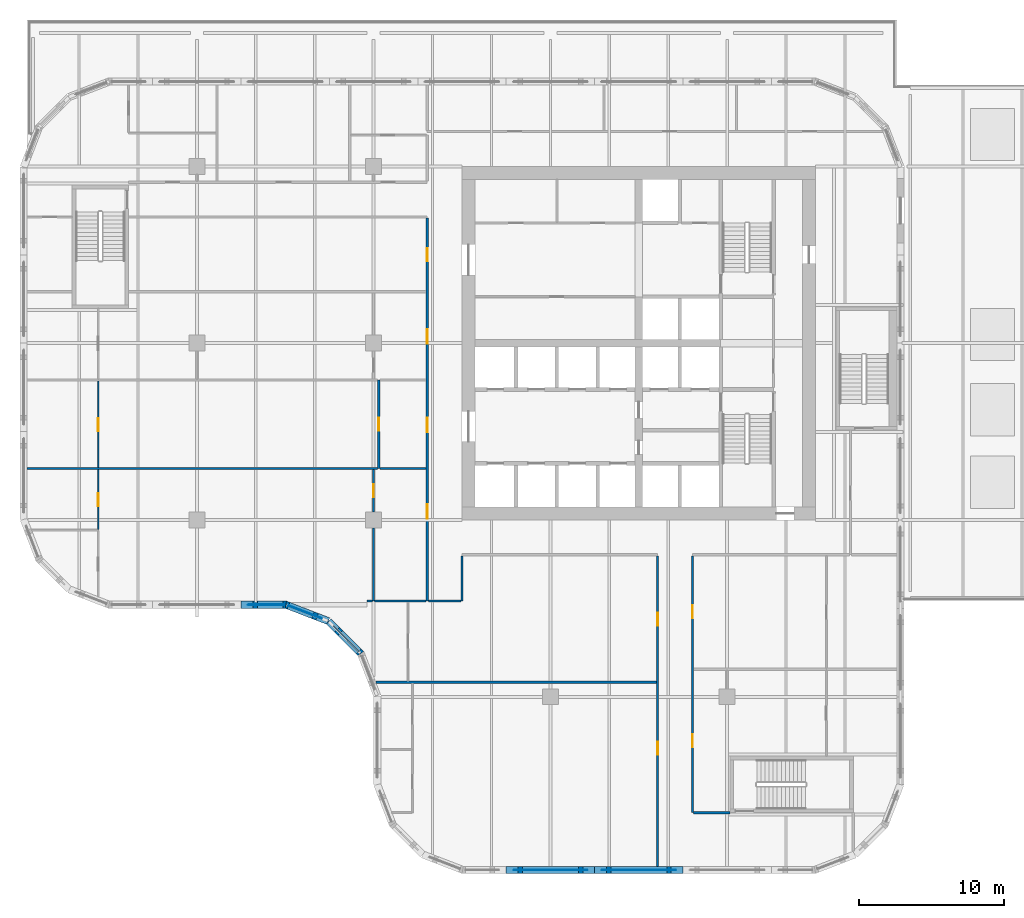
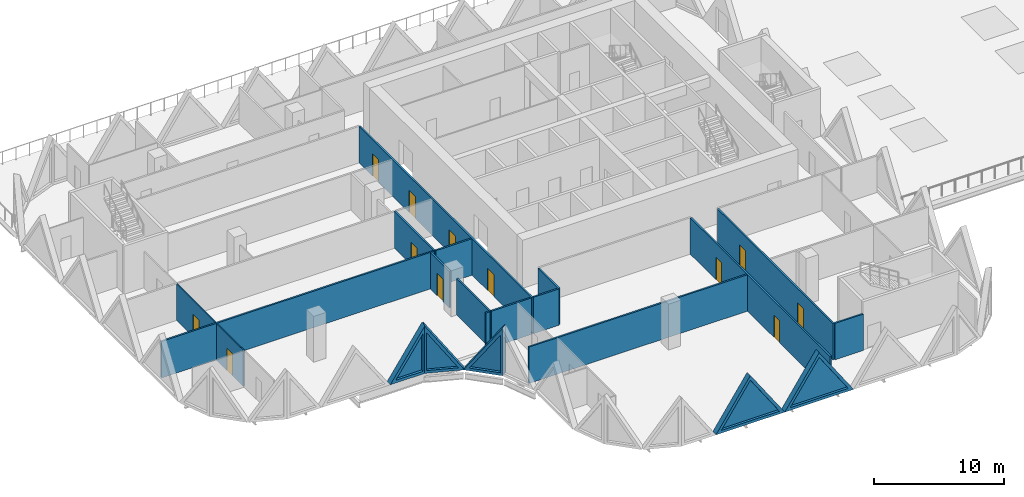
# One storey, part 7 of 21: 21 walls, 12 doors, 5 plates, 17 openings.
"""IFC4 building model written with IfcOpenShell, lengths in metres."""

from ifc_helpers import new_model, si_unit, direction, frame, frame_2d, origin, place, context, subcontext, project, spatial, polyline, rectangle, outline, extrude, faceted_brep, source, transform, mapped, material, layer, layer_set, type_object, element, fill, save


model = new_model("IFC4")

# Units and contexts
model_context = context("Model", 3, precision=1e-05, world=origin(), true_north=direction((0.0, 1.0)))
body_context = subcontext(model_context, "Body", "Model", "MODEL_VIEW")
ifc_project = project(units=[si_unit("LENGTHUNIT", "METRE"), si_unit("AREAUNIT", "SQUARE_METRE"), si_unit("VOLUMEUNIT", "CUBIC_METRE"), si_unit("PLANEANGLEUNIT", "RADIAN"), si_unit("MASSUNIT", "GRAM", prefix="KILO")], contexts=[model_context])

# Site, building, storey
site_placement = place(None, origin())
site = spatial("IfcSite", under=ifc_project, at=site_placement, CompositionType="ELEMENT")
building_placement = place(site_placement, origin())
building = spatial("IfcBuilding", under=site, at=building_placement, Name="Tessera Gate Towers", CompositionType="ELEMENT")
storey_placement = place(building_placement, frame((0.0, 0.0, 16.800048828125)))
storey = spatial("IfcBuildingStorey", under=building, at=storey_placement, Name="L03", CompositionType="ELEMENT", Elevation=16.800048828125)

# Wall, openings, doors
ifc_material_1 = material(Name="Gypsum board on steel studs, mineral wool", Category="steel")
ifc_layer_1 = layer(ifc_material_1, 0.14990234375)
ifc_layer_set_1 = layer_set([ifc_layer_1], Name="CORRIDOR WALL 150")
wall_type_1 = type_object("IfcWallType", Name="CORRIDOR WALL 150", PredefinedType="PARTITIONING", material=ifc_layer_set_1)
wall_1_placement = place(storey_placement, frame((44.0, 0.5, 0.0), z_axis=(0.0, 0.0, 1.0), x_axis=(0.0, 1.0, 0.0)))
wall_1 = element("IfcWall", 1, at=wall_1_placement, inside=storey, type_object=wall_type_1, Name="T1-L03-PW-001", PredefinedType="PARTITIONING", context=body_context, shape_type="SweptSolid", body=[
    extrude(rectangle(XDim=21.424072265625, YDim=0.14990234375, at=frame_2d((10.7119140625, 0.0))), origin(), (0.0, 0.0, 1.0), 3.4150390625),
])
shared_shape_1 = source(origin(), body_context, "Body", "SweptSolid", [
    extrude(rectangle(XDim=0.89990234375, YDim=2.10009765625, at=frame_2d((0.449951171875, 1.050048828125))), frame((0.0, 0.0849609375, 0.0), z_axis=(0.0, -1.0, 0.0), x_axis=(1.0, 0.0, 0.0)), (0.0, 0.0, 1.0), 0.169921875),
])
opening_1_placement = place(wall_1_placement, frame((16.60107421875, 0.0, 0.0)))
opening_1 = element("IfcOpeningElement", 2, at=opening_1_placement, cuts=wall_1, Name="Opening D890FD60-A00-06", PredefinedType="OPENING", context=body_context, shape_type="MappedRepresentation", body=[
    mapped(shared_shape_1, transform((0.0, 0.0, 0.0), scale=1.0)),
])
opening_2_placement = place(wall_1_placement, frame((7.699951171875, 0.0, 0.0)))
opening_2 = element("IfcOpeningElement", 3, at=opening_2_placement, cuts=wall_1, Name="Opening D890FD60-A00-07", PredefinedType="OPENING", context=body_context, shape_type="MappedRepresentation", body=[
    mapped(shared_shape_1, transform((0.0, 0.0, 0.0), scale=1.0)),
])
ifc_material_2 = material(Name="Timber door leaf in steel frame", Category="steel")
door_type_1 = type_object("IfcDoorType", Name="CORRIDOR DOOR 900 FD60", OperationType="NOTDEFINED", PredefinedType="DOOR", material=ifc_material_2)
shared_shape_2 = source(origin(), body_context, "Body", "SweptSolid", [
    extrude(rectangle(XDim=0.89990234375, YDim=2.10009765625, at=frame_2d((0.449951171875, 1.050048828125))), frame((0.0, 0.02490234375, 0.0), z_axis=(0.0, -1.0, 0.0), x_axis=(1.0, 0.0, 0.0)), (0.0, 0.0, 1.0), 0.050048828125),
])
door_1_placement = place(opening_1_placement, origin())
door_1 = element("IfcDoor", 4, at=door_1_placement, inside=storey, type_object=door_type_1, Name="T1-L03-PD-023", OperationType="SINGLE_SWING_LEFT", OverallHeight=2.10009765625, OverallWidth=0.89990234375, PredefinedType="DOOR", context=body_context, shape_type="MappedRepresentation", body=[
    mapped(shared_shape_2, transform((0.0, 0.0, 0.0), scale=1.0)),
])
fill(opening_1, door_1)
door_2_placement = place(opening_2_placement, origin())
door_2 = element("IfcDoor", 5, at=door_2_placement, inside=storey, type_object=door_type_1, Name="T1-L03-PD-024", OperationType="SINGLE_SWING_LEFT", OverallHeight=2.10009765625, OverallWidth=0.89990234375, PredefinedType="DOOR", context=body_context, shape_type="MappedRepresentation", body=[
    mapped(shared_shape_2, transform((0.0, 0.0, 0.0), scale=1.0)),
])
fill(opening_2, door_2)

wall_2_placement = place(storey_placement, frame((46.39990234375, 21.924072265625, 0.0), z_axis=(0.0, 0.0, 1.0), x_axis=(0.0, -1.0, 0.0)))
wall_2 = element("IfcWall", 6, at=wall_2_placement, inside=storey, type_object=wall_type_1, Name="T1-L03-PW-005", PredefinedType="PARTITIONING", context=body_context, shape_type="SweptSolid", body=[
    extrude(rectangle(XDim=17.72412109375, YDim=0.14990234375, at=frame_2d((8.862060546875, 0.0))), origin(), (0.0, 0.0, 1.0), 3.4150390625),
])
opening_3_placement = place(wall_2_placement, frame((3.423095703125, 0.0, 0.0)))
opening_3 = element("IfcOpeningElement", 7, at=opening_3_placement, cuts=wall_2, Name="Opening D890FD60-A00-04", PredefinedType="OPENING", context=body_context, shape_type="MappedRepresentation", body=[
    mapped(shared_shape_1, transform((0.0, 0.0, 0.0), scale=1.0)),
])
opening_4_placement = place(wall_2_placement, frame((12.323974609375, 0.0, 0.0)))
opening_4 = element("IfcOpeningElement", 8, at=opening_4_placement, cuts=wall_2, Name="Opening D890FD60-A00-09", PredefinedType="OPENING", context=body_context, shape_type="MappedRepresentation", body=[
    mapped(shared_shape_1, transform((0.0, 0.0, 0.0), scale=1.0)),
])
door_3_placement = place(opening_3_placement, origin())
door_3 = element("IfcDoor", 9, at=door_3_placement, inside=storey, type_object=door_type_1, Name="T1-L03-PD-020", OperationType="SINGLE_SWING_RIGHT", OverallHeight=2.10009765625, OverallWidth=0.89990234375, PredefinedType="DOOR", context=body_context, shape_type="MappedRepresentation", body=[
    mapped(shared_shape_2, transform((0.0, 0.0, 0.0), scale=1.0)),
])
fill(opening_3, door_3)
door_4_placement = place(opening_4_placement, origin())
door_4 = element("IfcDoor", 10, at=door_4_placement, inside=storey, type_object=door_type_1, Name="T1-L03-PD-028", OperationType="SINGLE_SWING_RIGHT", OverallHeight=2.10009765625, OverallWidth=0.89990234375, PredefinedType="DOOR", context=body_context, shape_type="MappedRepresentation", body=[
    mapped(shared_shape_2, transform((0.0, 0.0, 0.0), scale=1.0)),
])
fill(opening_4, door_4)

# Wall
wall_3_placement = place(storey_placement, frame((46.47607421875, 4.199951171875, 0.0), z_axis=(0.0, 0.0, 1.0), x_axis=(1.0, 0.0, 0.0)))
element("IfcWall", 11, at=wall_3_placement, inside=storey, type_object=wall_type_1, Name="T1-L03-PW-006", PredefinedType="PARTITIONING", context=body_context, shape_type="SweptSolid", body=[
    extrude(rectangle(XDim=2.52392578125, YDim=0.14990234375, at=frame_2d((1.261962890625, 0.0))), origin(), (0.0, 0.0, 1.0), 3.4150390625),
])

# Wall, openings, doors
wall_4_placement = place(storey_placement, frame((28.10009765625, 18.800048828125, 0.0), z_axis=(0.0, 0.0, 1.0), x_axis=(0.0, 1.0, 0.0)))
wall_4 = element("IfcWall", 12, at=wall_4_placement, inside=storey, type_object=wall_type_1, Name="T1-L03-PW-018", PredefinedType="PARTITIONING", context=body_context, shape_type="SweptSolid", body=[
    extrude(rectangle(XDim=26.424072265625, YDim=0.14990234375, at=frame_2d((13.2119140625, 0.0))), origin(), (0.0, 0.0, 1.0), 3.4150390625),
])
opening_5_placement = place(wall_4_placement, frame((23.450927734375, 0.0, 0.0)))
opening_5 = element("IfcOpeningElement", 13, at=opening_5_placement, cuts=wall_4, Name="Opening D890FD60-A00-01", PredefinedType="OPENING", context=body_context, shape_type="MappedRepresentation", body=[
    mapped(shared_shape_1, transform((0.0, 0.0, 0.0), scale=1.0)),
])
shared_shape_3 = source(origin(), body_context, "Body", "SweptSolid", [
    extrude(rectangle(XDim=1.0, YDim=2.10009765625, at=frame_2d((0.5, 1.050048828125))), frame((0.0, 0.0849609375, 0.0), z_axis=(0.0, -1.0, 0.0), x_axis=(1.0, 0.0, 0.0)), (0.0, 0.0, 1.0), 0.169921875),
])
opening_6_placement = place(wall_4_placement, frame((5.699951171875, 0.0, 0.0)))
opening_6 = element("IfcOpeningElement", 14, at=opening_6_placement, cuts=wall_4, Name="Opening D2100FD60-A00-01", PredefinedType="OPENING", context=body_context, shape_type="MappedRepresentation", body=[
    mapped(shared_shape_3, transform((0.0, 0.0, 0.0), scale=1.0)),
])
opening_7_placement = place(wall_4_placement, frame((11.64990234375, 0.0, 0.0)))
opening_7 = element("IfcOpeningElement", 15, at=opening_7_placement, cuts=wall_4, Name="Opening D2100FD60-A00-02", PredefinedType="OPENING", context=body_context, shape_type="MappedRepresentation", body=[
    mapped(shared_shape_3, transform((0.0, 0.0, 0.0), scale=1.0)),
])
opening_8_placement = place(wall_4_placement, frame((17.75, 0.0, 0.0)))
opening_8 = element("IfcOpeningElement", 16, at=opening_8_placement, cuts=wall_4, Name="Opening D2100FD60-A00-03", PredefinedType="OPENING", context=body_context, shape_type="MappedRepresentation", body=[
    mapped(shared_shape_3, transform((0.0, 0.0, 0.0), scale=1.0)),
])
door_5_placement = place(opening_5_placement, origin())
door_5 = element("IfcDoor", 17, at=door_5_placement, inside=storey, type_object=door_type_1, Name="T1-L03-PD-007", OperationType="SINGLE_SWING_LEFT", OverallHeight=2.10009765625, OverallWidth=0.89990234375, PredefinedType="DOOR", context=body_context, shape_type="MappedRepresentation", body=[
    mapped(shared_shape_2, transform((0.0, 0.0, 0.0), scale=1.0)),
])
fill(opening_5, door_5)
ifc_material_3 = material(Name="Timber door leaf in steel frame", Category="steel")
door_type_2 = type_object("IfcDoorType", Name="TENANCY ENTRANCE DOOR 1000 FD60", OperationType="NOTDEFINED", PredefinedType="DOOR", material=ifc_material_3)
shared_shape_4 = source(origin(), body_context, "Body", "SweptSolid", [
    extrude(rectangle(XDim=1.0, YDim=2.10009765625, at=frame_2d((0.5, 1.050048828125))), frame((0.0, 0.02490234375, 0.0), z_axis=(0.0, -1.0, 0.0), x_axis=(1.0, 0.0, 0.0)), (0.0, 0.0, 1.0), 0.050048828125),
])
door_6_placement = place(opening_6_placement, origin())
door_6 = element("IfcDoor", 18, at=door_6_placement, inside=storey, type_object=door_type_2, Name="T1-L03-PD-014", OperationType="SINGLE_SWING_LEFT", OverallHeight=2.10009765625, OverallWidth=1.0, PredefinedType="DOOR", context=body_context, shape_type="MappedRepresentation", body=[
    mapped(shared_shape_4, transform((0.0, 0.0, 0.0), scale=1.0)),
])
fill(opening_6, door_6)
door_7_placement = place(opening_7_placement, origin())
door_7 = element("IfcDoor", 19, at=door_7_placement, inside=storey, type_object=door_type_2, Name="T1-L03-PD-016", OperationType="SINGLE_SWING_LEFT", OverallHeight=2.10009765625, OverallWidth=1.0, PredefinedType="DOOR", context=body_context, shape_type="MappedRepresentation", body=[
    mapped(shared_shape_4, transform((0.0, 0.0, 0.0), scale=1.0)),
])
fill(opening_7, door_7)
door_8_placement = place(opening_8_placement, origin())
door_8 = element("IfcDoor", 20, at=door_8_placement, inside=storey, type_object=door_type_2, Name="T1-L03-PD-018", OperationType="SINGLE_SWING_LEFT", OverallHeight=2.10009765625, OverallWidth=1.0, PredefinedType="DOOR", context=body_context, shape_type="MappedRepresentation", body=[
    mapped(shared_shape_4, transform((0.0, 0.0, 0.0), scale=1.0)),
])
fill(opening_8, door_8)

# Walls
wall_5_placement = place(storey_placement, frame((28.176025390625, 18.800048828125, 0.0), z_axis=(0.0, 0.0, 1.0), x_axis=(1.0, 0.0, 0.0)))
element("IfcWall", 21, at=wall_5_placement, inside=storey, type_object=wall_type_1, Name="T1-L03-PW-019", PredefinedType="PARTITIONING", context=body_context, shape_type="SweptSolid", body=[
    extrude(rectangle(XDim=2.248046875, YDim=0.14990234375, at=frame_2d((1.1240234375, 0.0))), origin(), (0.0, 0.0, 1.0), 3.4150390625),
])
wall_6_placement = place(storey_placement, frame((30.5, 18.800048828125, 0.0), z_axis=(0.0, 0.0, 1.0), x_axis=(0.0, 1.0, 0.0)))
element("IfcWall", 22, at=wall_6_placement, inside=storey, type_object=wall_type_1, Name="T1-L03-PW-020", PredefinedType="PARTITIONING", context=body_context, shape_type="SweptSolid", body=[
    extrude(rectangle(XDim=3.1240234375, YDim=0.14990234375, at=frame_2d((1.56201171875, 0.0))), origin(), (0.0, 0.0, 1.0), 3.4150390625),
])

# Wall, opening, door
ifc_material_4 = material(Name="Gypsum board on steel studs", Category="steel")
ifc_layer_2 = layer(ifc_material_4, 0.10009765625)
ifc_layer_set_2 = layer_set([ifc_layer_2], Name="PARTITION 100")
wall_type_2 = type_object("IfcWallType", Name="PARTITION 100", PredefinedType="PARTITIONING", material=ifc_layer_set_2)
wall_7_placement = place(storey_placement, frame((5.39990234375, 23.746337890625, 0.0), z_axis=(0.0, 0.0, 1.0), x_axis=(0.0, 1.0, 0.0)))
wall_7 = element("IfcWall", 23, at=wall_7_placement, inside=storey, type_object=wall_type_2, Name="T1-L03-PW-027", PredefinedType="PARTITIONING", context=body_context, shape_type="SweptSolid", body=[
    extrude(rectangle(XDim=4.127685546875, YDim=0.10009765625, at=frame_2d((2.06396484375, 0.0))), origin(), (0.0, 0.0, 1.0), 3.4150390625),
])
shared_shape_5 = source(origin(), body_context, "Body", "SweptSolid", [
    extrude(rectangle(XDim=0.89990234375, YDim=2.10009765625, at=frame_2d((0.449951171875, 1.050048828125))), frame((0.0, 0.06005859375, 0.0), z_axis=(0.0, -1.0, 0.0), x_axis=(1.0, 0.0, 0.0)), (0.0, 0.0, 1.0), 0.1201171875),
])
opening_9_placement = place(wall_7_placement, frame((1.60009765625, 0.0, 0.0)))
opening_9 = element("IfcOpeningElement", 24, at=opening_9_placement, cuts=wall_7, Name="Opening D190-A00-01", PredefinedType="OPENING", context=body_context, shape_type="MappedRepresentation", body=[
    mapped(shared_shape_5, transform((0.0, 0.0, 0.0), scale=1.0)),
])
ifc_material_5 = material(Name="Timber door leaf in steel frame", Category="steel")
door_type_3 = type_object("IfcDoorType", Name="INTERNAL DOOR 900 NOT RATED", OperationType="NOTDEFINED", PredefinedType="DOOR", material=ifc_material_5)
door_9_placement = place(opening_9_placement, origin())
door_9 = element("IfcDoor", 25, at=door_9_placement, inside=storey, type_object=door_type_3, Name="T1-L03-PD-002", OperationType="SINGLE_SWING_LEFT", OverallHeight=2.10009765625, OverallWidth=0.89990234375, PredefinedType="DOOR", context=body_context, shape_type="MappedRepresentation", body=[
    mapped(shared_shape_2, transform((0.0, 0.0, 0.0), scale=1.0)),
])
fill(opening_9, door_9)

wall_8_placement = place(storey_placement, frame((5.39990234375, 28.02587890625, 0.0), z_axis=(0.0, 0.0, 1.0), x_axis=(0.0, 1.0, 0.0)))
wall_8 = element("IfcWall", 26, at=wall_8_placement, inside=storey, type_object=wall_type_2, Name="T1-L03-PW-032", PredefinedType="PARTITIONING", context=body_context, shape_type="SweptSolid", body=[
    extrude(rectangle(XDim=5.9482421875, YDim=0.10009765625, at=frame_2d((2.97412109375, 0.0))), origin(), (0.0, 0.0, 1.0), 3.4150390625),
])
opening_10_placement = place(wall_8_placement, frame((2.5, 0.0, 0.0)))
opening_10 = element("IfcOpeningElement", 27, at=opening_10_placement, cuts=wall_8, Name="Opening D190-A00-09", PredefinedType="OPENING", context=body_context, shape_type="MappedRepresentation", body=[
    mapped(shared_shape_5, transform((0.0, 0.0, 0.0), scale=1.0)),
])
door_10_placement = place(opening_10_placement, origin())
door_10 = element("IfcDoor", 28, at=door_10_placement, inside=storey, type_object=door_type_3, Name="T1-L03-PD-013", OperationType="SINGLE_SWING_LEFT", OverallHeight=2.10009765625, OverallWidth=0.89990234375, PredefinedType="DOOR", context=body_context, shape_type="MappedRepresentation", body=[
    mapped(shared_shape_2, transform((0.0, 0.0, 0.0), scale=1.0)),
])
fill(opening_10, door_10)

# Walls
ifc_material_6 = material(Name="Gypsum board on steel studs, mineral wool", Category="steel")
ifc_layer_3 = layer(ifc_material_6, 0.14990234375)
ifc_layer_set_3 = layer_set([ifc_layer_3], Name="TENANCY WALL 150")
wall_type_3 = type_object("IfcWallType", Name="TENANCY WALL 150", PredefinedType="PARTITIONING", material=ifc_layer_set_3)
wall_9_placement = place(storey_placement, frame((24.55029296875, 13.199951171875, 0.0), z_axis=(0.0, 0.0, 1.0), x_axis=(1.0, 0.0, 0.0)))
element("IfcWall", 29, at=wall_9_placement, inside=storey, type_object=wall_type_3, Name="T1-L03-PW-010", PredefinedType="PARTITIONING", context=body_context, shape_type="SweptSolid", body=[
    extrude(rectangle(XDim=19.373779296875, YDim=0.14990234375, at=frame_2d((9.68701171875, 0.0))), origin(), (0.0, 0.0, 1.0), 3.4150390625),
])
wall_10_placement = place(storey_placement, frame((23.9599609375, 18.800048828125, 0.0), z_axis=(0.0, 0.0, 1.0), x_axis=(1.0, 0.0, 0.0)))
element("IfcWall", 30, at=wall_10_placement, inside=storey, type_object=wall_type_3, Name="T1-L03-PW-015", PredefinedType="PARTITIONING", context=body_context, shape_type="SweptSolid", body=[
    extrude(rectangle(XDim=0.364013671875, YDim=0.14990234375, at=frame_2d((0.18212890625, 0.0))), origin(), (0.0, 0.0, 1.0), 3.4150390625),
])
wall_11_placement = place(storey_placement, frame((24.39990234375, 18.800048828125, 0.0), z_axis=(0.0, 0.0, 1.0), x_axis=(0.0, 1.0, 0.0)))
element("IfcWall", 31, at=wall_11_placement, inside=storey, type_object=wall_type_3, Name="T1-L03-PW-016", PredefinedType="PARTITIONING", context=body_context, shape_type="SweptSolid", body=[
    extrude(rectangle(XDim=5.049072265625, YDim=0.14990234375, at=frame_2d((2.5244140625, 0.0))), origin(), (0.0, 0.0, 1.0), 3.4150390625),
])
wall_12_placement = place(storey_placement, frame((24.47607421875, 18.800048828125, 0.0), z_axis=(0.0, 0.0, 1.0), x_axis=(1.0, 0.0, 0.0)))
element("IfcWall", 32, at=wall_12_placement, inside=storey, type_object=wall_type_3, Name="T1-L03-PW-017", PredefinedType="PARTITIONING", context=body_context, shape_type="SweptSolid", body=[
    extrude(rectangle(XDim=3.5478515625, YDim=0.14990234375, at=frame_2d((1.77392578125, 0.0))), origin(), (0.0, 0.0, 1.0), 3.4150390625),
])

# Wall, opening, door
wall_13_placement = place(storey_placement, frame((24.39990234375, 24.950927734375, 0.0), z_axis=(0.0, 0.0, 1.0), x_axis=(0.0, 1.0, 0.0)))
wall_13 = element("IfcWall", 33, at=wall_13_placement, inside=storey, type_object=wall_type_3, Name="T1-L03-PW-028", PredefinedType="PARTITIONING", context=body_context, shape_type="SweptSolid", body=[
    extrude(rectangle(XDim=2.923095703125, YDim=0.14990234375, at=frame_2d((1.46142578125, 0.0))), origin(), (0.0, 0.0, 1.0), 3.4150390625),
])
opening_11_placement = place(wall_13_placement, frame((1.0, 0.0, 0.0)))
opening_11 = element("IfcOpeningElement", 34, at=opening_11_placement, cuts=wall_13, Name="Opening D190-A00-12", PredefinedType="OPENING", context=body_context, shape_type="MappedRepresentation", body=[
    mapped(shared_shape_1, transform((0.0, 0.0, 0.0), scale=1.0)),
])
door_11_placement = place(opening_11_placement, origin())
door_11 = element("IfcDoor", 35, at=door_11_placement, inside=storey, type_object=door_type_3, Name="T1-L03-PD-021", OperationType="SINGLE_SWING_LEFT", OverallHeight=2.10009765625, OverallWidth=0.89990234375, PredefinedType="DOOR", context=body_context, shape_type="MappedRepresentation", body=[
    mapped(shared_shape_2, transform((0.0, 0.0, 0.0), scale=1.0)),
])
fill(opening_11, door_11)

# Wall
wall_14_placement = place(storey_placement, frame((0.5, 27.949951171875, 0.0), z_axis=(0.0, 0.0, 1.0), x_axis=(1.0, 0.0, 0.0)))
element("IfcWall", 36, at=wall_14_placement, inside=storey, type_object=wall_type_3, Name="T1-L03-PW-029", PredefinedType="PARTITIONING", context=body_context, shape_type="SweptSolid", body=[
    extrude(rectangle(XDim=24.174072265625, YDim=0.14990234375, at=frame_2d((12.0869140625, 0.0))), origin(), (0.0, 0.0, 1.0), 3.4150390625),
])

# Wall, opening, door
wall_15_placement = place(storey_placement, frame((24.75, 27.949951171875, 0.0), z_axis=(0.0, 0.0, 1.0), x_axis=(0.0, 1.0, 0.0)))
wall_15 = element("IfcWall", 37, at=wall_15_placement, inside=storey, type_object=wall_type_3, Name="T1-L03-PW-030", PredefinedType="PARTITIONING", context=body_context, shape_type="SweptSolid", body=[
    extrude(rectangle(XDim=6.10009765625, YDim=0.14990234375, at=frame_2d((3.050048828125, 0.0))), origin(), (0.0, 0.0, 1.0), 3.4150390625),
])
opening_12_placement = place(wall_15_placement, frame((2.60009765625, 0.0, 0.0)))
opening_12 = element("IfcOpeningElement", 38, at=opening_12_placement, cuts=wall_15, Name="Opening D190-A00-10", PredefinedType="OPENING", context=body_context, shape_type="MappedRepresentation", body=[
    mapped(shared_shape_1, transform((0.0, 0.0, 0.0), scale=1.0)),
])
door_12_placement = place(opening_12_placement, origin())
door_12 = element("IfcDoor", 39, at=door_12_placement, inside=storey, type_object=door_type_3, Name="T1-L03-PD-017", OperationType="SINGLE_SWING_LEFT", OverallHeight=2.10009765625, OverallWidth=0.89990234375, PredefinedType="DOOR", context=body_context, shape_type="MappedRepresentation", body=[
    mapped(shared_shape_2, transform((0.0, 0.0, 0.0), scale=1.0)),
])
fill(opening_12, door_12)

# Wall
wall_16_placement = place(storey_placement, frame((24.825927734375, 27.949951171875, 0.0), z_axis=(0.0, 0.0, 1.0), x_axis=(1.0, 0.0, 0.0)))
element("IfcWall", 40, at=wall_16_placement, inside=storey, type_object=wall_type_3, Name="T1-L03-PW-031", PredefinedType="PARTITIONING", context=body_context, shape_type="SweptSolid", body=[
    extrude(rectangle(XDim=3.197998046875, YDim=0.14990234375, at=frame_2d((1.59912109375, 0.0))), origin(), (0.0, 0.0, 1.0), 3.4150390625),
])

# Wall, opening, plate
ifc_material_7 = material(Name="Precast concrete C60/75 white", Category="concrete")
ifc_layer_4 = layer(ifc_material_7, 0.5)
ifc_layer_set_4 = layer_set([ifc_layer_4], Name="TS2 half tessera")
wall_type_4 = type_object("IfcWallType", Name="TS2 half tessera", PredefinedType="SOLIDWALL", material=ifc_layer_set_4)
shared_shape_6 = source(origin(), body_context, "Body", "Brep", [
    faceted_brep([(6.099853515625, -0.25, 0.000244140625), (3.050048828125, -0.25, 4.5), (0.0, -0.25, 0.0), (6.099853515625, -0.25, 0.0), (0.0, 0.25, 0.0), (3.050048828125, 0.25, 4.5), (6.099853515625, 0.25, 0.000244140625), (6.099853515625, 0.25, 0.0)], [[[0, 1, 2, 3]], [[4, 5, 6, 7]], [[6, 5, 1, 0]], [[5, 4, 2, 1]], [[4, 7, 3, 2]], [[3, 7, 6, 0]]]),
])
wall_17_placement = place(storey_placement, frame((33.550048828125, 0.25, 0.0), z_axis=(0.0, 0.0, 1.0), x_axis=(1.0, 0.0, 0.0)))
wall_17 = element("IfcWall", 41, at=wall_17_placement, inside=storey, type_object=wall_type_4, Name="Precast half tessera T1 TS2-0001", PredefinedType="SOLIDWALL", context=body_context, shape_type="MappedRepresentation", body=[
    mapped(shared_shape_6, transform((0.0, 0.0, 0.0), scale=1.0)),
])
shared_shape_7 = source(origin(), body_context, "Body", "SweptSolid", [
    extrude(outline(polyline([(5.628662109375, 0.25), (3.050048828125, 4.054443359375), (0.471435546875, 0.25), (5.628662109375, 0.25)])), frame((0.0, 0.260009765625, 0.0), z_axis=(0.0, -1.0, 0.0), x_axis=(1.0, 0.0, 0.0)), (0.0, 0.0, 1.0), 0.52001953125),
])
opening_13_placement = place(wall_17_placement, origin())
opening_13 = element("IfcOpeningElement", 42, at=opening_13_placement, cuts=wall_17, Name="Opening T1-PL1-0003", PredefinedType="OPENING", context=body_context, shape_type="MappedRepresentation", body=[
    mapped(shared_shape_7, transform((0.0, 0.0, 0.0), scale=1.0)),
])
ifc_material_8 = material(Name="Low-e laminated glass", Category="glass")
ifc_layer_5 = layer(ifc_material_8, 0.06005859375)
ifc_layer_set_5 = layer_set([ifc_layer_5], Name="PL1 triangular pane")
plate_type = type_object("IfcPlateType", Name="PL1 triangular pane", PredefinedType="SHEET", material=ifc_layer_set_5)
shared_shape_8 = source(origin(), body_context, "Body", "SweptSolid", [
    extrude(outline(polyline([(5.628662109375, 0.25), (3.050048828125, 4.054443359375), (0.471435546875, 0.25), (5.628662109375, 0.25)])), frame((0.0, 0.030029296875, 0.0), z_axis=(0.0, -1.0, 0.0), x_axis=(1.0, 0.0, 0.0)), (0.0, 0.0, 1.0), 0.06005859375),
])
plate_1_placement = place(opening_13_placement, origin())
plate_1 = element("IfcPlate", 43, at=plate_1_placement, inside=storey, type_object=plate_type, Name="Glass pane T1 PL1-0003", PredefinedType="SHEET", context=body_context, shape_type="MappedRepresentation", body=[
    mapped(shared_shape_8, transform((0.0, 0.0, 0.0), scale=1.0)),
])
fill(opening_13, plate_1)

shared_shape_9 = source(origin(), body_context, "Body", "SweptSolid", [
    extrude(outline(polyline([(6.10009765625, 0.0), (3.050048828125, 4.5), (0.0, 0.0), (6.10009765625, 0.0)])), frame((0.0, 0.25, 0.0), z_axis=(0.0, -1.0, 0.0), x_axis=(1.0, 0.0, 0.0)), (0.0, 0.0, 1.0), 0.5),
])
wall_18_placement = place(storey_placement, frame((39.64990234375, 0.25, 0.0), z_axis=(0.0, 0.0, 1.0), x_axis=(1.0, 0.0, 0.0)))
wall_18 = element("IfcWall", 44, at=wall_18_placement, inside=storey, type_object=wall_type_4, Name="Precast half tessera T1 TS2-0002", PredefinedType="SOLIDWALL", context=body_context, shape_type="MappedRepresentation", body=[
    mapped(shared_shape_9, transform((0.0, 0.0, 0.0), scale=1.0)),
])
opening_14_placement = place(wall_18_placement, origin())
opening_14 = element("IfcOpeningElement", 45, at=opening_14_placement, cuts=wall_18, Name="Opening T1-PL1-0004", PredefinedType="OPENING", context=body_context, shape_type="MappedRepresentation", body=[
    mapped(shared_shape_7, transform((0.0, 0.0, 0.0), scale=1.0)),
])
plate_2_placement = place(opening_14_placement, origin())
plate_2 = element("IfcPlate", 46, at=plate_2_placement, inside=storey, type_object=plate_type, Name="Glass pane T1 PL1-0004", PredefinedType="SHEET", context=body_context, shape_type="MappedRepresentation", body=[
    mapped(shared_shape_8, transform((0.0, 0.0, 0.0), scale=1.0)),
])
fill(opening_14, plate_2)

ifc_material_9 = material(Name="Precast concrete C60/75 white", Category="concrete")
ifc_layer_6 = layer(ifc_material_9, 0.5)
ifc_layer_set_6 = layer_set([ifc_layer_6], Name="TS3 corner tessera")
wall_type_5 = type_object("IfcWallType", Name="TS3 corner tessera", PredefinedType="SOLIDWALL", material=ifc_layer_set_6)
shared_shape_10 = source(origin(), body_context, "Body", "Brep", [
    faceted_brep([(3.050048828125, -0.25, 4.4326171875), (0.0, -0.25, 0.0), (3.050048828125, -0.25, 0.0), (0.0, 0.25, 0.0), (3.096435546875, 0.25, 4.5), (3.14306640625, 0.25, 4.433349609375), (3.14306640625, 0.25, 0.0), (3.096435546875, -0.00048828125, 4.5)], [[[0, 1, 2]], [[3, 4, 5, 6]], [[5, 4, 7]], [[4, 3, 1, 0, 7]], [[3, 6, 2, 1]], [[2, 6, 5, 7, 0]]]),
])
wall_19_placement = place(storey_placement, frame((15.25, 18.550048828125, 0.0), z_axis=(0.0, 0.0, 1.0), x_axis=(1.0, 0.0, 0.0)))
wall_19 = element("IfcWall", 47, at=wall_19_placement, inside=storey, type_object=wall_type_5, Name="Precast corner tessera T1 TS3-0019", PredefinedType="SOLIDWALL", context=body_context, shape_type="MappedRepresentation", body=[
    mapped(shared_shape_10, transform((0.0, 0.0, 0.0), scale=1.0)),
])
shared_shape_11 = source(origin(), body_context, "Body", "SweptSolid", [
    extrude(outline(polyline([(2.896484375, 3.768310546875), (0.4755859375, 0.25), (2.896484375, 0.25), (2.896484375, 3.768310546875)])), frame((0.0, 0.260009765625, 0.0), z_axis=(0.0, -1.0, 0.0), x_axis=(1.0, 0.0, 0.0)), (0.0, 0.0, 1.0), 0.52001953125),
])
opening_15_placement = place(wall_19_placement, origin())
opening_15 = element("IfcOpeningElement", 48, at=opening_15_placement, cuts=wall_19, Name="Opening T1-PL1-0040", PredefinedType="OPENING", context=body_context, shape_type="MappedRepresentation", body=[
    mapped(shared_shape_11, transform((0.0, 0.0, 0.0), scale=1.0)),
])
shared_shape_12 = source(origin(), body_context, "Body", "SweptSolid", [
    extrude(outline(polyline([(2.896484375, 3.768310546875), (0.4755859375, 0.25), (2.896484375, 0.25), (2.896484375, 3.768310546875)])), frame((0.0, 0.030029296875, 0.0), z_axis=(0.0, -1.0, 0.0), x_axis=(1.0, 0.0, 0.0)), (0.0, 0.0, 1.0), 0.06005859375),
])
plate_3_placement = place(opening_15_placement, origin())
plate_3 = element("IfcPlate", 49, at=plate_3_placement, inside=storey, type_object=plate_type, Name="Glass pane T1 PL1-0040", PredefinedType="SHEET", context=body_context, shape_type="MappedRepresentation", body=[
    mapped(shared_shape_12, transform((0.0, 0.0, 0.0), scale=1.0)),
])
fill(opening_15, plate_3)

shared_shape_13 = source(origin(), body_context, "Body", "Brep", [
    faceted_brep([(3.14306640625, -0.25, 0.075439453125), (0.09326171875, -0.25, 4.43359375), (0.09326171875, -0.25, 0.0), (3.14306640625, -0.25, 0.0), (0.0, 0.25, 4.432373046875), (0.046630859375, 0.25, 4.5), (3.196044921875, 0.25, 0.0), (0.0, 0.25, 0.0), (0.046630859375, 0.0, 4.5), (3.196044921875, -0.000244140625, 0.0)], [[[0, 1, 2, 3]], [[4, 5, 6, 7]], [[6, 5, 8, 1, 0, 9]], [[5, 4, 8]], [[7, 6, 9, 3, 2]], [[7, 2, 1, 8, 4]], [[3, 9, 0]]]),
])
wall_20_placement = place(storey_placement, frame((18.302978515625, 18.56689453125, 0.0), z_axis=(0.0, 0.0, 1.0), x_axis=(0.932978940178, -0.359930961693, 0.0)))
wall_20 = element("IfcWall", 50, at=wall_20_placement, inside=storey, type_object=wall_type_5, Name="Precast corner tessera T1 TS3-0020", PredefinedType="SOLIDWALL", context=body_context, shape_type="MappedRepresentation", body=[
    mapped(shared_shape_13, transform((0.0, 0.0, 0.0), scale=1.0)),
])
shared_shape_14 = source(origin(), body_context, "Body", "SweptSolid", [
    extrude(outline(polyline([(2.716064453125, 0.25), (0.24658203125, 3.778076171875), (0.24658203125, 0.25), (2.716064453125, 0.25)])), frame((0.0, 0.260009765625, 0.0), z_axis=(0.0, -1.0, 0.0), x_axis=(1.0, 0.0, 0.0)), (0.0, 0.0, 1.0), 0.52001953125),
])
opening_16_placement = place(wall_20_placement, origin())
opening_16 = element("IfcOpeningElement", 51, at=opening_16_placement, cuts=wall_20, Name="Opening T1-PL1-0041", PredefinedType="OPENING", context=body_context, shape_type="MappedRepresentation", body=[
    mapped(shared_shape_14, transform((0.0, 0.0, 0.0), scale=1.0)),
])
shared_shape_15 = source(origin(), body_context, "Body", "SweptSolid", [
    extrude(outline(polyline([(2.716064453125, 0.25), (0.24658203125, 3.778076171875), (0.24658203125, 0.25), (2.716064453125, 0.25)])), frame((0.0, 0.030029296875, 0.0), z_axis=(0.0, -1.0, 0.0), x_axis=(1.0, 0.0, 0.0)), (0.0, 0.0, 1.0), 0.06005859375),
])
plate_4_placement = place(opening_16_placement, origin())
plate_4 = element("IfcPlate", 52, at=plate_4_placement, inside=storey, type_object=plate_type, Name="Glass pane T1 PL1-0041", PredefinedType="SHEET", context=body_context, shape_type="MappedRepresentation", body=[
    mapped(shared_shape_15, transform((0.0, 0.0, 0.0), scale=1.0)),
])
fill(opening_16, plate_4)

shared_shape_16 = source(origin(), body_context, "Body", "Brep", [
    faceted_brep([(3.10302734375, -0.25, 4.424560546875), (0.052978515625, -0.25, 0.075439453125), (0.052978515625, -0.25, 0.0), (3.10302734375, -0.25, 0.0), (0.0, 0.25, 0.0), (3.15576171875, 0.25, 4.5), (3.208740234375, 0.25, 4.42431640625), (3.208740234375, 0.25, 0.0), (3.15576171875, -0.00048828125, 4.5), (0.0, 0.0, 0.0)], [[[0, 1, 2, 3]], [[4, 5, 6, 7]], [[6, 5, 8]], [[5, 4, 9, 1, 0, 8]], [[4, 7, 3, 2, 9]], [[9, 2, 1]], [[3, 7, 6, 8, 0]]]),
])
wall_21_placement = place(storey_placement, frame((21.284912109375, 17.41650390625, 0.0), z_axis=(0.0, 0.0, 1.0), x_axis=(0.707106781187, -0.707106781187, 0.0)))
wall_21 = element("IfcWall", 53, at=wall_21_placement, inside=storey, type_object=wall_type_5, Name="Precast corner tessera T1 TS3-0021", PredefinedType="SOLIDWALL", context=body_context, shape_type="MappedRepresentation", body=[
    mapped(shared_shape_16, transform((0.0, 0.0, 0.0), scale=1.0)),
])
shared_shape_17 = source(origin(), body_context, "Body", "SweptSolid", [
    extrude(outline(polyline([(2.955810546875, 3.779296875), (0.480712890625, 0.25), (2.955810546875, 0.25), (2.955810546875, 3.779296875)])), frame((0.0, 0.260009765625, 0.0), z_axis=(0.0, -1.0, 0.0), x_axis=(1.0, 0.0, 0.0)), (0.0, 0.0, 1.0), 0.52001953125),
])
opening_17_placement = place(wall_21_placement, origin())
opening_17 = element("IfcOpeningElement", 54, at=opening_17_placement, cuts=wall_21, Name="Opening T1-PL1-0042", PredefinedType="OPENING", context=body_context, shape_type="MappedRepresentation", body=[
    mapped(shared_shape_17, transform((0.0, 0.0, 0.0), scale=1.0)),
])
shared_shape_18 = source(origin(), body_context, "Body", "SweptSolid", [
    extrude(outline(polyline([(2.955810546875, 3.779296875), (0.480712890625, 0.25), (2.955810546875, 0.25), (2.955810546875, 3.779296875)])), frame((0.0, 0.030029296875, 0.0), z_axis=(0.0, -1.0, 0.0), x_axis=(1.0, 0.0, 0.0)), (0.0, 0.0, 1.0), 0.06005859375),
])
plate_5_placement = place(opening_17_placement, origin())
plate_5 = element("IfcPlate", 55, at=plate_5_placement, inside=storey, type_object=plate_type, Name="Glass pane T1 PL1-0042", PredefinedType="SHEET", context=body_context, shape_type="MappedRepresentation", body=[
    mapped(shared_shape_18, transform((0.0, 0.0, 0.0), scale=1.0)),
])
fill(opening_17, plate_5)

save(model, "model.ifc")
